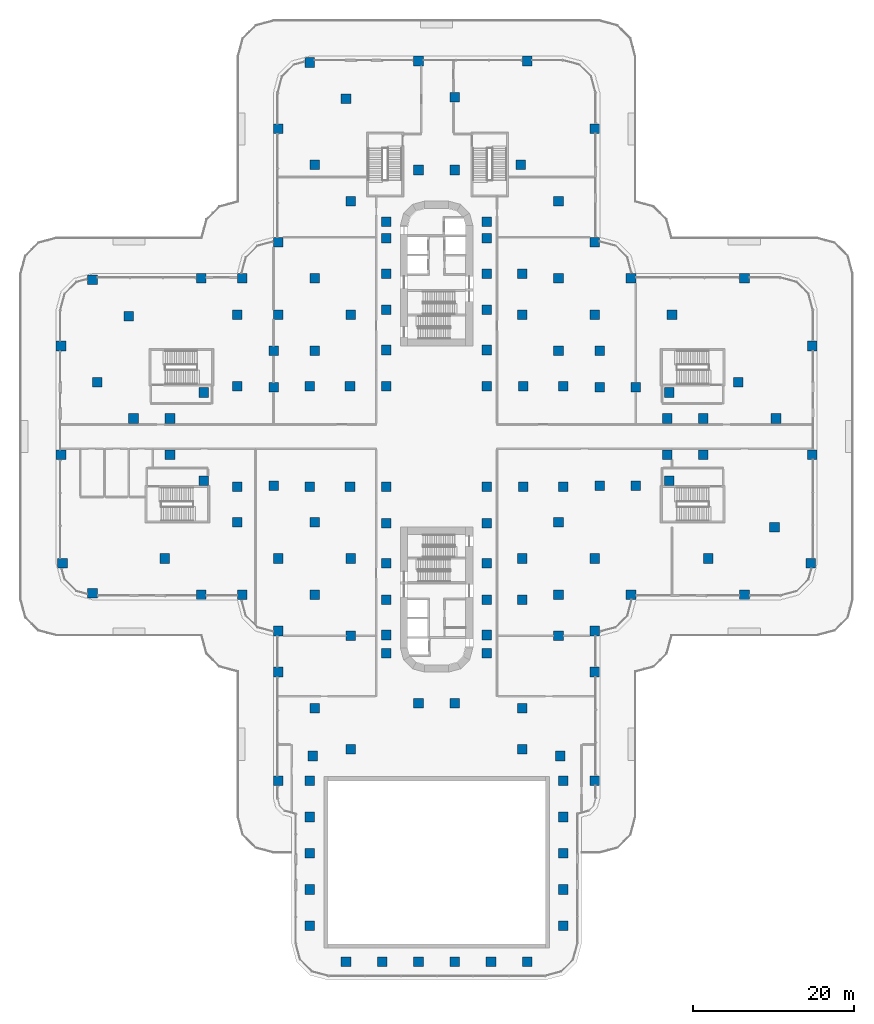
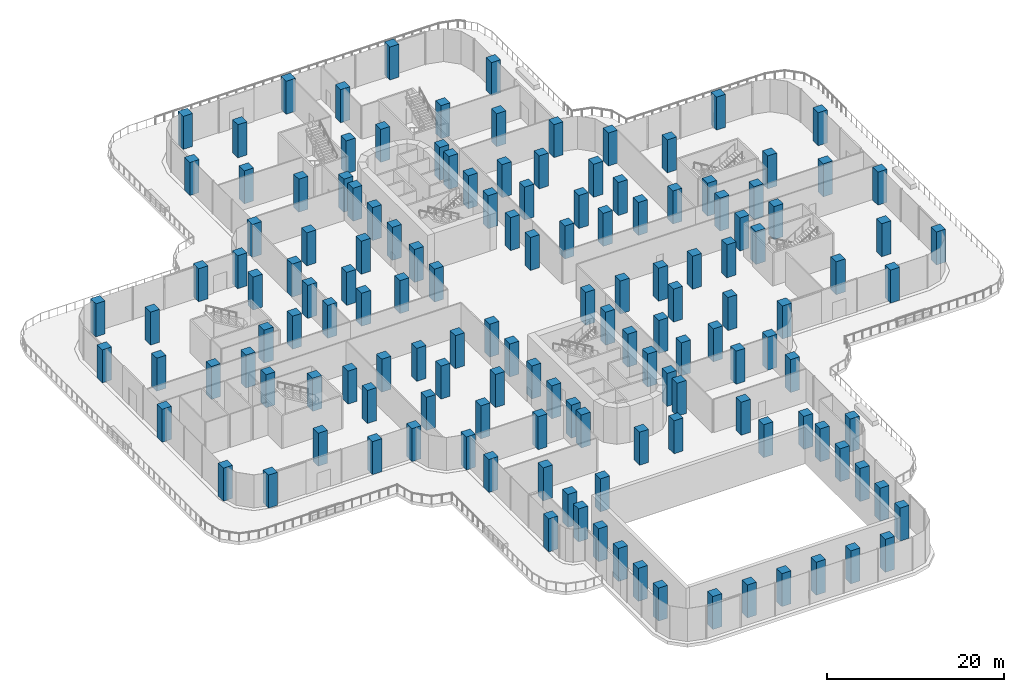
# One storey, part 1 of 29: 144 columns.
"""IFC4 building model written with IfcOpenShell, lengths in metres."""

from ifc_helpers import new_model, si_unit, direction, frame, origin, origin_2d, place, context, subcontext, project, spatial, rectangle, extrude, material, material_profile, profile_set, type_object, element, save


model = new_model("IFC4")

# Units and contexts
model_context = context("Model", 3, precision=1e-05, world=origin(), true_north=direction((0.0, 1.0)))
body_context = subcontext(model_context, "Body", "Model", "MODEL_VIEW")
ifc_project = project(units=[si_unit("LENGTHUNIT", "METRE"), si_unit("AREAUNIT", "SQUARE_METRE"), si_unit("VOLUMEUNIT", "CUBIC_METRE"), si_unit("PLANEANGLEUNIT", "RADIAN"), si_unit("MASSUNIT", "GRAM", prefix="KILO")], contexts=[model_context])

# Site, building, storey
site_placement = place(None, origin())
site = spatial("IfcSite", under=ifc_project, at=site_placement, CompositionType="ELEMENT")
building_placement = place(site_placement, origin())
building = spatial("IfcBuilding", under=site, at=building_placement, Name="Zarbagh Exchange Tower", CompositionType="ELEMENT")
storey_placement = place(building_placement, frame((0.0, 0.0, 12.0)))
storey = spatial("IfcBuildingStorey", under=building, at=storey_placement, Name="L02", CompositionType="ELEMENT", Elevation=12.0)

# Columns
ifc_material = material(Name="Concrete C60/75", Category="concrete")
ifc_material_profile = material_profile(ifc_material, rectangle(XDim=1.199951171875, YDim=1.199951171875, at=origin_2d()), Name="RC column 1200 x 1200 C60/75")
ifc_profile_set = profile_set([ifc_material_profile], Name="Concrete C60/75")
column_type = type_object("IfcColumnType", Name="RC column 1200 x 1200 C60/75", PredefinedType="COLUMN", material=ifc_profile_set)
for number, where, z_axis, x_axis, name in (
    (1, (-46.469970703125, -15.75, 0.0), (0.0, 0.0, 1.0), (1.0, 0.0, 0.0), "C1 7/P"),
    (2, (-46.64990234375, -2.25, 0.0), (0.0, 0.0, 1.0), (1.0, 0.0, 0.0), "C1 7/S"),
    (3, (-46.64990234375, 11.25, 0.0), (0.0, 0.0, 1.0), (1.0, 0.0, 0.0), "C1 7/V"),
    (4, (-42.75, -19.469970703125, 0.0), (0.0, 0.0, 1.0), (1.0, 0.0, 0.0), "C1 8/N"),
    (5, (-42.14990234375, 6.75, 0.0), (0.0, 0.0, 1.0), (1.0, 0.0, 0.0), "C1 8/U"),
    (6, (-42.75, 19.469970703125, 0.0), (0.0, 0.0, 1.0), (1.0, 0.0, 0.0), "C1 8/X"),
    (7, (-37.64990234375, 2.25, 0.0), (0.0, 0.0, 1.0), (1.0, 0.0, 0.0), "C1 9/T"),
    (8, (-38.25, 14.969970703125, 0.0), (0.0, 0.0, 1.0), (1.0, 0.0, 0.0), "C1 9/W"),
    (9, (-33.75, -15.14990234375, 0.0), (0.0, 0.0, 1.0), (1.0, 0.0, 0.0), "C1 10/P"),
    (10, (-33.110107421875, -2.25, 0.0), (0.0, 0.0, 1.0), (1.0, 0.0, 0.0), "C1 10/S"),
    (11, (-33.110107421875, 2.25, 0.0), (0.0, 0.0, 1.0), (1.0, 0.0, 0.0), "C1 10/T"),
    (12, (-29.25, -19.64990234375, 0.0), (0.0, 0.0, 1.0), (1.0, 0.0, 0.0), "C1 11/N"),
    (13, (-28.907958984375, -5.47509765625, 0.0), (0.0, 0.0, 1.0), (1.0, 0.0, 0.0), "C1 11/R"),
    (14, (-28.907958984375, 5.47509765625, 0.0), (0.0, 0.0, 1.0), (1.0, 0.0, 0.0), "C1 11/U"),
    (15, (-29.25, 19.64990234375, 0.0), (0.0, 0.0, 1.0), (1.0, 0.0, 0.0), "C1 11/X"),
    (16, (-24.14990234375, -19.64990234375, 0.0), (0.0, 0.0, 1.0), (1.0, 0.0, 0.0), "C1 12/N"),
    (17, (-24.75, -10.64990234375, 0.0), (0.0, 0.0, 1.0), (1.0, 0.0, 0.0), "C1 12/Q"),
    (18, (-24.75, -6.25, 0.0), (0.0, 0.0, 1.0), (1.0, 0.0, 0.0), "C1 12/R"),
    (19, (-24.75, 6.25, 0.0), (0.0, 0.0, 1.0), (1.0, 0.0, 0.0), "C1 12/U"),
    (20, (-24.75, 15.14990234375, 0.0), (0.0, 0.0, 1.0), (1.0, 0.0, 0.0), "C1 12/W"),
    (21, (-24.14990234375, 19.64990234375, 0.0), (0.0, 0.0, 1.0), (1.0, 0.0, 0.0), "C1 12/X"),
    (22, (-19.64990234375, -42.75, 0.0), (0.0, 0.0, 1.0), (1.0, 0.0, 0.0), "C1 13/H"),
    (23, (-19.64990234375, -29.25, 0.0), (0.0, 0.0, 1.0), (1.0, 0.0, 0.0), "C1 13/L"),
    (24, (-19.64990234375, -24.14990234375, 0.0), (0.0, 0.0, 1.0), (1.0, 0.0, 0.0), "C1 13/M"),
    (25, (-19.64990234375, -15.14990234375, 0.0), (0.0, 0.0, 1.0), (1.0, 0.0, 0.0), "C1 13/P"),
    (26, (-20.25, -6.110107421875, 0.0), (0.0, 0.0, 1.0), (1.0, 0.0, 0.0), "C1 13/R"),
    (27, (-20.25, 6.110107421875, 0.0), (0.0, 0.0, 1.0), (1.0, 0.0, 0.0), "C1 13/U"),
    (28, (-20.25, 10.64990234375, 0.0), (0.0, 0.0, 1.0), (1.0, 0.0, 0.0), "C1 13/V"),
    (29, (-19.64990234375, 15.14990234375, 0.0), (0.0, 0.0, 1.0), (1.0, 0.0, 0.0), "C1 13/W"),
    (30, (-19.64990234375, 24.14990234375, 0.0), (0.0, 0.0, 1.0), (1.0, 0.0, 0.0), "C1 13/Y"),
    (31, (-19.64990234375, 38.25, 0.0), (0.0, 0.0, 1.0), (1.0, 0.0, 0.0), "C1 13/AB"),
    (32, (-15.75, -60.75, 0.0), (0.0, 0.0, 1.0), (1.0, 0.0, 0.0), "C1 14/D"),
    (33, (-15.75, -56.25, 0.0), (0.0, 0.0, 1.0), (1.0, 0.0, 0.0), "C1 14/E"),
    (34, (-15.75, -51.75, 0.0), (0.0, 0.0, 1.0), (1.0, 0.0, 0.0), "C1 14/F"),
    (35, (-15.75, -47.25, 0.0), (0.0, 0.0, 1.0), (1.0, 0.0, 0.0), "C1 14/G"),
    (36, (-15.75, -42.75, 0.0), (0.0, 0.0, 1.0), (1.0, 0.0, 0.0), "C1 14/H"),
    (37, (-15.366943359375, -39.679931640625, 0.0), (0.0, 0.0, 1.0), (1.0, 0.0, 0.0), "C1 14/J"),
    (38, (-15.14990234375, -33.75, 0.0), (0.0, 0.0, 1.0), (1.0, 0.0, 0.0), "C1 14/K"),
    (39, (-15.14990234375, -19.64990234375, 0.0), (0.0, 0.0, 1.0), (1.0, 0.0, 0.0), "C1 14/N"),
    (40, (-15.14990234375, -10.64990234375, 0.0), (0.0, 0.0, 1.0), (1.0, 0.0, 0.0), "C1 14/Q"),
    (41, (-15.75, -6.25, 0.0), (0.0, 0.0, 1.0), (1.0, 0.0, 0.0), "C1 14/R"),
    (42, (-15.75, 6.25, 0.0), (0.0, 0.0, 1.0), (1.0, 0.0, 0.0), "C1 14/U"),
    (43, (-15.14990234375, 10.64990234375, 0.0), (0.0, 0.0, 1.0), (1.0, 0.0, 0.0), "C1 14/V"),
    (44, (-15.14990234375, 19.64990234375, 0.0), (0.0, 0.0, 1.0), (1.0, 0.0, 0.0), "C1 14/X"),
    (45, (-15.14990234375, 33.75, 0.0), (0.0, 0.0, 1.0), (1.0, 0.0, 0.0), "C1 14/AA"),
    (46, (-15.75, 46.469970703125, 0.0), (0.0, 0.0, 1.0), (1.0, 0.0, 0.0), "C1 14/AD"),
    (47, (-11.25, -65.25, 0.0), (0.0, 0.0, 1.0), (1.0, 0.0, 0.0), "C1 15/C"),
    (48, (-10.64990234375, -38.85009765625, 0.0), (0.0, 0.0, 1.0), (1.0, 0.0, 0.0), "C1 15/J"),
    (49, (-10.64990234375, -24.75, 0.0), (0.0, 0.0, 1.0), (1.0, 0.0, 0.0), "C1 15/M"),
    (50, (-10.64990234375, -15.14990234375, 0.0), (0.0, 0.0, 1.0), (1.0, 0.0, 0.0), "C1 15/P"),
    (51, (-10.75, -6.25, 0.0), (0.0, 0.0, 1.0), (1.0, 0.0, 0.0), "C1 15/R"),
    (52, (-10.75, 6.25, 0.0), (0.0, 0.0, 1.0), (1.0, 0.0, 0.0), "C1 15/U"),
    (53, (-10.64990234375, 15.14990234375, 0.0), (0.0, 0.0, 1.0), (1.0, 0.0, 0.0), "C1 15/W"),
    (54, (-10.64990234375, 29.25, 0.0), (0.0, 0.0, 1.0), (1.0, 0.0, 0.0), "C1 15/Z"),
    (55, (-11.25, 41.969970703125, 0.0), (0.0, 0.0, 1.0), (1.0, 0.0, 0.0), "C1 15/AC"),
    (56, (-6.75, -65.25, 0.0), (0.0, 0.0, 1.0), (1.0, 0.0, 0.0), "C1 16/C"),
    (57, (-6.25, -26.89990234375, 0.0), (0.0, 0.0, 1.0), (1.0, 0.0, 0.0), "C1 16/L"),
    (58, (-6.25, -24.64990234375, 0.0), (0.0, 0.0, 1.0), (1.0, 0.0, 0.0), "C1 16/M"),
    (59, (-6.25, -20.25, 0.0), (0.0, 0.0, 1.0), (1.0, 0.0, 0.0), "C1 16/N"),
    (60, (-6.25, -15.75, 0.0), (0.0, 0.0, 1.0), (1.0, 0.0, 0.0), "C1 16/P"),
    (61, (-6.25, -10.75, 0.0), (0.0, 0.0, 1.0), (1.0, 0.0, 0.0), "C1 16/Q"),
    (62, (-6.25, -6.25, 0.0), (0.0, 0.0, 1.0), (1.0, 0.0, 0.0), "C1 16/R"),
    (63, (-6.25, 6.25, 0.0), (0.0, 0.0, 1.0), (1.0, 0.0, 0.0), "C1 16/U"),
    (64, (-6.25, 10.75, 0.0), (0.0, 0.0, 1.0), (1.0, 0.0, 0.0), "C1 16/V"),
    (65, (-6.25, 15.75, 0.0), (0.0, 0.0, 1.0), (1.0, 0.0, 0.0), "C1 16/W"),
    (66, (-6.25, 20.25, 0.0), (0.0, 0.0, 1.0), (1.0, 0.0, 0.0), "C1 16/X"),
    (67, (-6.25, 24.64990234375, 0.0), (0.0, 0.0, 1.0), (1.0, 0.0, 0.0), "C1 16/Y"),
    (68, (-6.25, 26.699951171875, 0.0), (0.0, 0.0, 1.0), (1.0, 0.0, 0.0), "C1 16/Z"),
    (69, (-2.25, -65.25, 0.0), (0.0, 0.0, 1.0), (1.0, 0.0, 0.0), "C1 17/C"),
    (70, (-2.25, -33.110107421875, 0.0), (0.0, 0.0, 1.0), (1.0, 0.0, 0.0), "C1 17/K"),
    (71, (-2.25, 33.110107421875, 0.0), (0.0, 0.0, 1.0), (1.0, 0.0, 0.0), "C1 17/AA"),
    (72, (-2.25, 46.64990234375, 0.0), (0.0, 0.0, 1.0), (1.0, 0.0, 0.0), "C1 17/AD"),
    (73, (2.25, -65.25, 0.0), (0.0, 0.0, 1.0), (1.0, 0.0, 0.0), "C1 18/C"),
    (74, (2.25, -33.110107421875, 0.0), (0.0, 0.0, 1.0), (1.0, 0.0, 0.0), "C1 18/K"),
    (75, (2.25, 33.110107421875, 0.0), (0.0, 0.0, 1.0), (1.0, 0.0, 0.0), "C1 18/AA"),
    (76, (2.25, 42.14990234375, 0.0), (0.0, 0.0, 1.0), (1.0, 0.0, 0.0), "C1 18/AC"),
    (77, (6.75, -65.25, 0.0), (0.0, 0.0, 1.0), (1.0, 0.0, 0.0), "C1 19/C"),
    (78, (6.25, -26.89990234375, 0.0), (0.0, 0.0, 1.0), (1.0, 0.0, 0.0), "C1 19/L"),
    (79, (6.25, -24.64990234375, 0.0), (0.0, 0.0, 1.0), (1.0, 0.0, 0.0), "C1 19/M"),
    (80, (6.25, -20.25, 0.0), (0.0, 0.0, 1.0), (1.0, 0.0, 0.0), "C1 19/N"),
    (81, (6.25, -15.75, 0.0), (0.0, 0.0, 1.0), (1.0, 0.0, 0.0), "C1 19/P"),
    (82, (6.25, -10.75, 0.0), (0.0, 0.0, 1.0), (1.0, 0.0, 0.0), "C1 19/Q"),
    (83, (6.25, -6.25, 0.0), (0.0, 0.0, 1.0), (1.0, 0.0, 0.0), "C1 19/R"),
    (84, (6.25, 6.25, 0.0), (0.0, 0.0, 1.0), (1.0, 0.0, 0.0), "C1 19/U"),
    (85, (6.25, 10.75, 0.0), (0.0, 0.0, 1.0), (1.0, 0.0, 0.0), "C1 19/V"),
    (86, (6.25, 15.75, 0.0), (0.0, 0.0, 1.0), (1.0, 0.0, 0.0), "C1 19/W"),
    (87, (6.25, 20.25, 0.0), (0.0, 0.0, 1.0), (1.0, 0.0, 0.0), "C1 19/X"),
    (88, (6.25, 24.64990234375, 0.0), (0.0, 0.0, 1.0), (1.0, 0.0, 0.0), "C1 19/Y"),
    (89, (6.25, 26.699951171875, 0.0), (0.0, 0.0, 1.0), (1.0, 0.0, 0.0), "C1 19/Z"),
    (90, (11.25, -65.25, 0.0), (0.0, 0.0, 1.0), (1.0, 0.0, 0.0), "C1 20/C"),
    (91, (10.64990234375, -38.85009765625, 0.0), (0.0, 0.0, 1.0), (1.0, 0.0, 0.0), "C1 20/J"),
    (92, (10.64990234375, -33.75, 0.0), (0.0, 0.0, 1.0), (1.0, 0.0, 0.0), "C1 20/K"),
    (93, (10.64990234375, -20.25, 0.0), (0.0, 0.0, 1.0), (1.0, 0.0, 0.0), "C1 20/N"),
    (94, (10.64990234375, -15.14990234375, 0.0), (0.0, 0.0, 1.0), (1.0, 0.0, 0.0), "C1 20/P"),
    (95, (10.75, -6.25, 0.0), (0.0, 0.0, 1.0), (1.0, 0.0, 0.0), "C1 20/R"),
    (96, (10.75, 6.25, 0.0), (0.0, 0.0, 1.0), (1.0, 0.0, 0.0), "C1 20/U"),
    (97, (10.64990234375, 15.14990234375, 0.0), (0.0, 0.0, 1.0), (1.0, 0.0, 0.0), "C1 20/W"),
    (98, (10.64990234375, 20.25, 0.0), (0.0, 0.0, 1.0), (1.0, 0.0, 0.0), "C1 20/X"),
    (99, (10.469970703125, 33.75, 0.0), (0.0, 0.0, 1.0), (1.0, 0.0, 0.0), "C1 20/AA"),
    (100, (11.25, 46.64990234375, 0.0), (0.0, 0.0, 1.0), (1.0, 0.0, 0.0), "C1 20/AD"),
    (101, (15.75, -60.75, 0.0), (0.0, 0.0, 1.0), (1.0, 0.0, 0.0), "C1 21/D"),
    (102, (15.75, -56.25, 0.0), (0.0, 0.0, 1.0), (1.0, 0.0, 0.0), "C1 21/E"),
    (103, (15.75, -51.75, 0.0), (0.0, 0.0, 1.0), (1.0, 0.0, 0.0), "C1 21/F"),
    (104, (15.75, -47.25, 0.0), (0.0, 0.0, 1.0), (1.0, 0.0, 0.0), "C1 21/G"),
    (105, (15.75, -42.75, 0.0), (0.0, 0.0, 1.0), (1.0, 0.0, 0.0), "C1 21/H"),
    (106, (15.366943359375, -39.679931640625, 0.0), (0.0, 0.0, 1.0), (1.0, 0.0, 0.0), "C1 21/J"),
    (107, (15.14990234375, -24.75, 0.0), (0.0, 0.0, 1.0), (1.0, 0.0, 0.0), "C1 21/M"),
    (108, (15.14990234375, -19.64990234375, 0.0), (0.0, 0.0, 1.0), (1.0, 0.0, 0.0), "C1 21/N"),
    (109, (15.14990234375, -10.64990234375, 0.0), (0.0, 0.0, 1.0), (1.0, 0.0, 0.0), "C1 21/Q"),
    (110, (15.75, -6.25, 0.0), (0.0, 0.0, 1.0), (1.0, 0.0, 0.0), "C1 21/R"),
    (111, (15.75, 6.25, 0.0), (0.0, 0.0, 1.0), (1.0, 0.0, 0.0), "C1 21/U"),
    (112, (15.14990234375, 10.64990234375, 0.0), (0.0, 0.0, 1.0), (1.0, 0.0, 0.0), "C1 21/V"),
    (113, (15.14990234375, 19.64990234375, 0.0), (0.0, 0.0, 1.0), (1.0, 0.0, 0.0), "C1 21/X"),
    (114, (15.14990234375, 29.25, 0.0), (0.0, 0.0, 1.0), (1.0, 0.0, 0.0), "C1 21/Z"),
    (115, (19.64990234375, -42.75, 0.0), (0.0, 0.0, 1.0), (1.0, 0.0, 0.0), "C1 22/H"),
    (116, (19.64990234375, -29.25, 0.0), (0.0, 0.0, 1.0), (1.0, 0.0, 0.0), "C1 22/L"),
    (117, (19.64990234375, -24.14990234375, 0.0), (0.0, 0.0, 1.0), (1.0, 0.0, 0.0), "C1 22/M"),
    (118, (19.64990234375, -15.14990234375, 0.0), (0.0, 0.0, 1.0), (1.0, 0.0, 0.0), "C1 22/P"),
    (119, (20.25, -6.110107421875, 0.0), (0.0, 0.0, 1.0), (1.0, 0.0, 0.0), "C1 22/R"),
    (120, (20.25, 6.110107421875, 0.0), (0.0, 0.0, 1.0), (1.0, 0.0, 0.0), "C1 22/U"),
    (121, (20.25, 10.64990234375, 0.0), (0.0, 0.0, 1.0), (1.0, 0.0, 0.0), "C1 22/V"),
    (122, (19.64990234375, 15.14990234375, 0.0), (0.0, 0.0, 1.0), (1.0, 0.0, 0.0), "C1 22/W"),
    (123, (19.64990234375, 24.14990234375, 0.0), (0.0, 0.0, 1.0), (1.0, 0.0, 0.0), "C1 22/Y"),
    (124, (19.64990234375, 38.25, 0.0), (0.0, 0.0, 1.0), (1.0, 0.0, 0.0), "C1 22/AB"),
    (125, (24.14990234375, -19.64990234375, 0.0), (0.0, 0.0, 1.0), (1.0, 0.0, 0.0), "C1 23/N"),
    (126, (24.75, -6.110107421875, 0.0), (0.0, 0.0, 1.0), (1.0, 0.0, 0.0), "C1 23/R"),
    (127, (24.75, 6.110107421875, 0.0), (0.0, 0.0, 1.0), (1.0, 0.0, 0.0), "C1 23/U"),
    (128, (24.14990234375, 19.64990234375, 0.0), (0.0, 0.0, 1.0), (1.0, 0.0, 0.0), "C1 23/X"),
    (129, (28.907958984375, -5.47509765625, 0.0), (0.0, 0.0, 1.0), (1.0, 0.0, 0.0), "C1 24/R"),
    (130, (28.669921875, -2.25, 0.0), (0.0, 0.0, 1.0), (1.0, 0.0, 0.0), "C1 24/S"),
    (131, (28.669921875, 2.25, 0.0), (0.0, 0.0, 1.0), (1.0, 0.0, 0.0), "C1 24/T"),
    (132, (28.907958984375, 5.47509765625, 0.0), (0.0, 0.0, 1.0), (1.0, 0.0, 0.0), "C1 24/U"),
    (133, (29.25, 15.14990234375, 0.0), (0.0, 0.0, 1.0), (1.0, 0.0, 0.0), "C1 24/W"),
    (134, (33.75, -15.14990234375, 0.0), (0.0, 0.0, 1.0), (1.0, 0.0, 0.0), "C1 25/P"),
    (135, (33.110107421875, -2.25, 0.0), (0.0, 0.0, 1.0), (1.0, 0.0, 0.0), "C1 25/S"),
    (136, (33.110107421875, 2.25, 0.0), (0.0, 0.0, 1.0), (1.0, 0.0, 0.0), "C1 25/T"),
    (137, (38.25, -19.64990234375, 0.0), (0.0, 0.0, 1.0), (1.0, 0.0, 0.0), "C1 26/N"),
    (138, (37.469970703125, 6.75, 0.0), (0.0, 0.0, 1.0), (1.0, 0.0, 0.0), "C1 26/U"),
    (139, (38.25, 19.64990234375, 0.0), (0.0, 0.0, 1.0), (1.0, 0.0, 0.0), "C1 26/X"),
    (140, (41.969970703125, -11.25, 0.0), (0.0, 0.0, 1.0), (1.0, 0.0, 0.0), "C1 27/Q"),
    (141, (42.14990234375, 2.25, 0.0), (0.0, 0.0, 1.0), (1.0, 0.0, 0.0), "C1 27/T"),
    (142, (46.469970703125, -15.75, 0.0), (0.0, 0.0, 1.0), (1.0, 0.0, 0.0), "C1 28/P"),
    (143, (46.64990234375, -2.25, 0.0), (0.0, 0.0, 1.0), (1.0, 0.0, 0.0), "C1 28/S"),
    (144, (46.64990234375, 11.25, 0.0), (0.0, 0.0, 1.0), (1.0, 0.0, 0.0), "C1 28/V"),
):
    element("IfcColumn", number, at=place(storey_placement, frame(where, z_axis=z_axis, x_axis=x_axis)), inside=storey, type_object=column_type, Name=name, PredefinedType="COLUMN", context=body_context, shape_type="SweptSolid", body=[
        extrude(rectangle(XDim=1.199951171875, YDim=1.199951171875, at=origin_2d()), origin(), (0.0, 0.0, 1.0), 4.550048828125),
    ])

save(model, "model.ifc")
